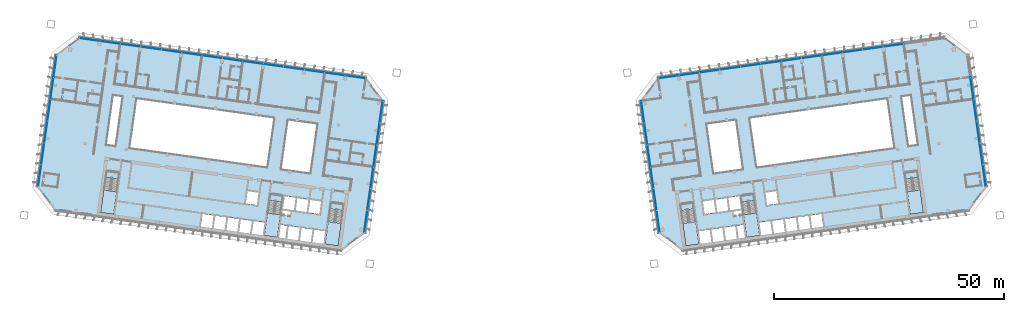
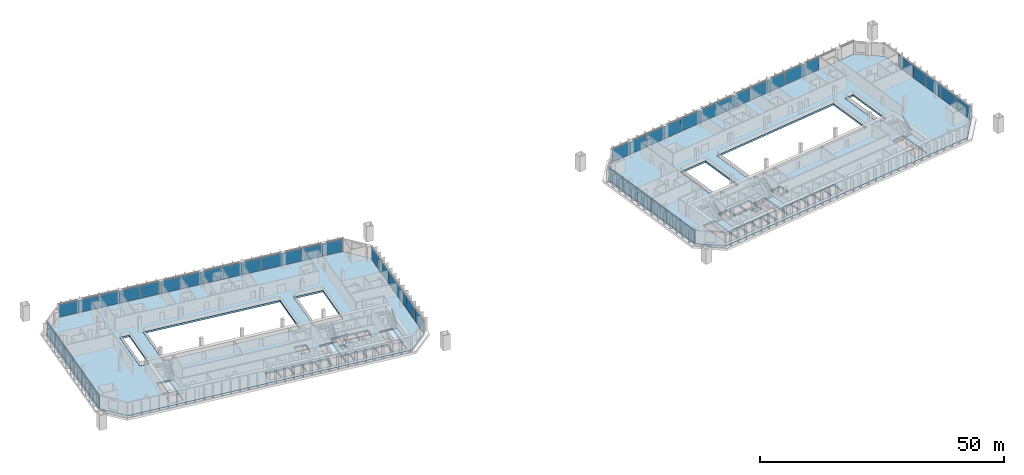
# One storey, part 12 of 25: 49 plates, 8 slabs, 12 elements without a shape of their own.
"""IFC4 building model written with IfcOpenShell, lengths in metres."""

from ifc_helpers import new_model, si_unit, direction, frame, origin, origin_2d, place, context, subcontext, project, spatial, polyline, rectangle, outline, extrude, material, layer, layer_set, type_object, element, aggregate, save


model = new_model("IFC4")

# Units and contexts
model_context = context("Model", 3, precision=1e-05, world=origin(), true_north=direction((0.0, 1.0)))
body_context = subcontext(model_context, "Body", "Model", "MODEL_VIEW")
ifc_project = project(units=[si_unit("LENGTHUNIT", "METRE"), si_unit("AREAUNIT", "SQUARE_METRE"), si_unit("VOLUMEUNIT", "CUBIC_METRE"), si_unit("PLANEANGLEUNIT", "RADIAN"), si_unit("MASSUNIT", "GRAM", prefix="KILO")], contexts=[model_context])

# Site, building, storey
site_placement = place(None, origin())
site = spatial("IfcSite", under=ifc_project, at=site_placement, CompositionType="ELEMENT")
building_placement = place(site_placement, origin())
building = spatial("IfcBuilding", under=site, at=building_placement, Name="Mirante Cascada Hotel Towers", CompositionType="ELEMENT")
storey_placement = place(building_placement, frame((0.0, 0.0, 129.1)))
storey = spatial("IfcBuildingStorey", under=building, at=storey_placement, Name="L29", CompositionType="ELEMENT", Elevation=129.1)

# Curtain wall, plates
ifc_material_1 = material(Name="Aluminium mullion and transom frame with clear laminated glass", Category="aluminium")
curtain_wall_type_1 = type_object("IfcCurtainWallType", Name="Ribbon curtain wall ECW1", PredefinedType="NOTDEFINED", material=ifc_material_1)
curtain_wall_1_placement = place(storey_placement, origin())
curtain_wall_1 = element("IfcCurtainWall", 1, at=curtain_wall_1_placement, inside=storey, type_object=curtain_wall_type_1, Name="Front ribbon wall T1 L29", PredefinedType="NOTDEFINED")
ifc_material_2 = material(Name="Clear laminated glass", Category="glass")
ifc_layer_1 = layer(ifc_material_2, 0.036)
ifc_layer_set_1 = layer_set([ifc_layer_1], Name="ECW1 glass panel 36")
plate_type_1 = type_object("IfcPlateType", Name="ECW1 glass panel 36", PredefinedType="CURTAIN_PANEL", material=ifc_layer_set_1)
plate_1_placement = place(storey_placement, frame((-91.9184, 25.7373, 0.1), z_axis=(0.0, 0.0, 1.0), x_axis=(0.9902681, -0.1391731, 0.0)))
plate_1 = element("IfcPlate", 2, at=plate_1_placement, type_object=plate_type_1, Name="ECW1 panel 1", PredefinedType="CURTAIN_PANEL", context=body_context, shape_type="SweptSolid", body=[
    extrude(rectangle(XDim=4.3936, YDim=0.036, at=origin_2d()), origin(), (0.0, 0.0, 1.0), 3.15),
])
plate_2_placement = place(storey_placement, frame((-87.487, 25.1145, 0.1), z_axis=(0.0, 0.0, 1.0), x_axis=(0.9902681, -0.1391731, 0.0)))
plate_2 = element("IfcPlate", 3, at=plate_2_placement, type_object=plate_type_1, Name="ECW1 panel 2", PredefinedType="CURTAIN_PANEL", context=body_context, shape_type="SweptSolid", body=[
    extrude(rectangle(XDim=4.4261, YDim=0.036, at=origin_2d()), origin(), (0.0, 0.0, 1.0), 3.15),
])
plate_3_placement = place(storey_placement, frame((-83.0396, 24.4895, 0.1), z_axis=(0.0, 0.0, 1.0), x_axis=(0.9902681, -0.1391731, 0.0)))
plate_3 = element("IfcPlate", 4, at=plate_3_placement, type_object=plate_type_1, Name="ECW1 panel 3", PredefinedType="CURTAIN_PANEL", context=body_context, shape_type="SweptSolid", body=[
    extrude(rectangle(XDim=4.4261, YDim=0.036, at=origin_2d()), origin(), (0.0, 0.0, 1.0), 3.15),
])
plate_4_placement = place(storey_placement, frame((-78.5922, 23.8644, 0.1), z_axis=(0.0, 0.0, 1.0), x_axis=(0.9902681, -0.1391731, 0.0)))
plate_4 = element("IfcPlate", 5, at=plate_4_placement, type_object=plate_type_1, Name="ECW1 panel 4", PredefinedType="CURTAIN_PANEL", context=body_context, shape_type="SweptSolid", body=[
    extrude(rectangle(XDim=4.4261, YDim=0.036, at=origin_2d()), origin(), (0.0, 0.0, 1.0), 3.15),
])
plate_5_placement = place(storey_placement, frame((-74.1448, 23.2394, 0.1), z_axis=(0.0, 0.0, 1.0), x_axis=(0.9902681, -0.1391731, 0.0)))
plate_5 = element("IfcPlate", 6, at=plate_5_placement, type_object=plate_type_1, Name="ECW1 panel 5", PredefinedType="CURTAIN_PANEL", context=body_context, shape_type="SweptSolid", body=[
    extrude(rectangle(XDim=4.4261, YDim=0.036, at=origin_2d()), origin(), (0.0, 0.0, 1.0), 3.15),
])
plate_6_placement = place(storey_placement, frame((-69.6974, 22.6144, 0.1), z_axis=(0.0, 0.0, 1.0), x_axis=(0.9902681, -0.1391731, 0.0)))
plate_6 = element("IfcPlate", 7, at=plate_6_placement, type_object=plate_type_1, Name="ECW1 panel 6", PredefinedType="CURTAIN_PANEL", context=body_context, shape_type="SweptSolid", body=[
    extrude(rectangle(XDim=4.4261, YDim=0.036, at=origin_2d()), origin(), (0.0, 0.0, 1.0), 3.15),
])
plate_7_placement = place(storey_placement, frame((-65.2499, 21.9893, 0.1), z_axis=(0.0, 0.0, 1.0), x_axis=(0.9902681, -0.1391731, 0.0)))
plate_7 = element("IfcPlate", 8, at=plate_7_placement, type_object=plate_type_1, Name="ECW1 panel 7", PredefinedType="CURTAIN_PANEL", context=body_context, shape_type="SweptSolid", body=[
    extrude(rectangle(XDim=4.4261, YDim=0.036, at=origin_2d()), origin(), (0.0, 0.0, 1.0), 3.15),
])
plate_8_placement = place(storey_placement, frame((-60.8025, 21.3643, 0.1), z_axis=(0.0, 0.0, 1.0), x_axis=(0.9902681, -0.1391731, 0.0)))
plate_8 = element("IfcPlate", 9, at=plate_8_placement, type_object=plate_type_1, Name="ECW1 panel 8", PredefinedType="CURTAIN_PANEL", context=body_context, shape_type="SweptSolid", body=[
    extrude(rectangle(XDim=4.4261, YDim=0.036, at=origin_2d()), origin(), (0.0, 0.0, 1.0), 3.15),
])
plate_9_placement = place(storey_placement, frame((-56.3551, 20.7392, 0.1), z_axis=(0.0, 0.0, 1.0), x_axis=(0.9902681, -0.1391731, 0.0)))
plate_9 = element("IfcPlate", 10, at=plate_9_placement, type_object=plate_type_1, Name="ECW1 panel 9", PredefinedType="CURTAIN_PANEL", context=body_context, shape_type="SweptSolid", body=[
    extrude(rectangle(XDim=4.4261, YDim=0.036, at=origin_2d()), origin(), (0.0, 0.0, 1.0), 3.15),
])
plate_10_placement = place(storey_placement, frame((-51.9077, 20.1142, 0.1), z_axis=(0.0, 0.0, 1.0), x_axis=(0.9902681, -0.1391731, 0.0)))
plate_10 = element("IfcPlate", 11, at=plate_10_placement, type_object=plate_type_1, Name="ECW1 panel 10", PredefinedType="CURTAIN_PANEL", context=body_context, shape_type="SweptSolid", body=[
    extrude(rectangle(XDim=4.4261, YDim=0.036, at=origin_2d()), origin(), (0.0, 0.0, 1.0), 3.15),
])
plate_11_placement = place(storey_placement, frame((-47.4603, 19.4891, 0.1), z_axis=(0.0, 0.0, 1.0), x_axis=(0.9902681, -0.1391731, 0.0)))
plate_11 = element("IfcPlate", 12, at=plate_11_placement, type_object=plate_type_1, Name="ECW1 panel 11", PredefinedType="CURTAIN_PANEL", context=body_context, shape_type="SweptSolid", body=[
    extrude(rectangle(XDim=4.4261, YDim=0.036, at=origin_2d()), origin(), (0.0, 0.0, 1.0), 3.15),
])
plate_12_placement = place(storey_placement, frame((-43.0129, 18.8641, 0.1), z_axis=(0.0, 0.0, 1.0), x_axis=(0.9902681, -0.1391731, 0.0)))
plate_12 = element("IfcPlate", 13, at=plate_12_placement, type_object=plate_type_1, Name="ECW1 panel 12", PredefinedType="CURTAIN_PANEL", context=body_context, shape_type="SweptSolid", body=[
    extrude(rectangle(XDim=4.4261, YDim=0.036, at=origin_2d()), origin(), (0.0, 0.0, 1.0), 3.15),
])
plate_13_placement = place(storey_placement, frame((-38.5654, 18.239, 0.1), z_axis=(0.0, 0.0, 1.0), x_axis=(0.9902681, -0.1391731, 0.0)))
plate_13 = element("IfcPlate", 14, at=plate_13_placement, type_object=plate_type_1, Name="ECW1 panel 13", PredefinedType="CURTAIN_PANEL", context=body_context, shape_type="SweptSolid", body=[
    extrude(rectangle(XDim=4.4261, YDim=0.036, at=origin_2d()), origin(), (0.0, 0.0, 1.0), 3.15),
])
plate_14_placement = place(storey_placement, frame((-34.1341, 17.6163, 0.1), z_axis=(0.0, 0.0, 1.0), x_axis=(0.9902681, -0.1391731, 0.0)))
plate_14 = element("IfcPlate", 15, at=plate_14_placement, type_object=plate_type_1, Name="ECW1 panel 14", PredefinedType="CURTAIN_PANEL", context=body_context, shape_type="SweptSolid", body=[
    extrude(rectangle(XDim=4.3936, YDim=0.036, at=origin_2d()), origin(), (0.0, 0.0, 1.0), 3.15),
])
aggregate(curtain_wall_1, [plate_1, plate_2, plate_3, plate_4, plate_5, plate_6, plate_7, plate_8, plate_9, plate_10, plate_11, plate_12, plate_13, plate_14])

curtain_wall_2_placement = place(storey_placement, origin())
curtain_wall_2 = element("IfcCurtainWall", 16, at=curtain_wall_2_placement, inside=storey, type_object=curtain_wall_type_1, Name="Front ribbon wall T2 L29", PredefinedType="NOTDEFINED")
plate_15_placement = place(storey_placement, frame((83.0396, 24.4895, 0.1), z_axis=(0.0, 0.0, 1.0), x_axis=(-0.9902681, -0.1391731, 0.0)))
plate_15 = element("IfcPlate", 17, at=plate_15_placement, type_object=plate_type_1, Name="ECW1 panel 3", PredefinedType="CURTAIN_PANEL", context=body_context, shape_type="SweptSolid", body=[
    extrude(rectangle(XDim=4.4261, YDim=0.036, at=origin_2d()), origin(), (0.0, 0.0, 1.0), 3.15),
])
plate_16_placement = place(storey_placement, frame((78.5922, 23.8644, 0.1), z_axis=(0.0, 0.0, 1.0), x_axis=(-0.9902681, -0.1391731, 0.0)))
plate_16 = element("IfcPlate", 18, at=plate_16_placement, type_object=plate_type_1, Name="ECW1 panel 4", PredefinedType="CURTAIN_PANEL", context=body_context, shape_type="SweptSolid", body=[
    extrude(rectangle(XDim=4.4261, YDim=0.036, at=origin_2d()), origin(), (0.0, 0.0, 1.0), 3.15),
])
plate_17_placement = place(storey_placement, frame((74.1448, 23.2394, 0.1), z_axis=(0.0, 0.0, 1.0), x_axis=(-0.9902681, -0.1391731, 0.0)))
plate_17 = element("IfcPlate", 19, at=plate_17_placement, type_object=plate_type_1, Name="ECW1 panel 5", PredefinedType="CURTAIN_PANEL", context=body_context, shape_type="SweptSolid", body=[
    extrude(rectangle(XDim=4.4261, YDim=0.036, at=origin_2d()), origin(), (0.0, 0.0, 1.0), 3.15),
])
plate_18_placement = place(storey_placement, frame((69.6974, 22.6144, 0.1), z_axis=(0.0, 0.0, 1.0), x_axis=(-0.9902681, -0.1391731, 0.0)))
plate_18 = element("IfcPlate", 20, at=plate_18_placement, type_object=plate_type_1, Name="ECW1 panel 6", PredefinedType="CURTAIN_PANEL", context=body_context, shape_type="SweptSolid", body=[
    extrude(rectangle(XDim=4.4261, YDim=0.036, at=origin_2d()), origin(), (0.0, 0.0, 1.0), 3.15),
])
plate_19_placement = place(storey_placement, frame((65.2499, 21.9893, 0.1), z_axis=(0.0, 0.0, 1.0), x_axis=(-0.9902681, -0.1391731, 0.0)))
plate_19 = element("IfcPlate", 21, at=plate_19_placement, type_object=plate_type_1, Name="ECW1 panel 7", PredefinedType="CURTAIN_PANEL", context=body_context, shape_type="SweptSolid", body=[
    extrude(rectangle(XDim=4.4261, YDim=0.036, at=origin_2d()), origin(), (0.0, 0.0, 1.0), 3.15),
])
plate_20_placement = place(storey_placement, frame((60.8025, 21.3643, 0.1), z_axis=(0.0, 0.0, 1.0), x_axis=(-0.9902681, -0.1391731, 0.0)))
plate_20 = element("IfcPlate", 22, at=plate_20_placement, type_object=plate_type_1, Name="ECW1 panel 8", PredefinedType="CURTAIN_PANEL", context=body_context, shape_type="SweptSolid", body=[
    extrude(rectangle(XDim=4.4261, YDim=0.036, at=origin_2d()), origin(), (0.0, 0.0, 1.0), 3.15),
])
plate_21_placement = place(storey_placement, frame((56.3551, 20.7392, 0.1), z_axis=(0.0, 0.0, 1.0), x_axis=(-0.9902681, -0.1391731, 0.0)))
plate_21 = element("IfcPlate", 23, at=plate_21_placement, type_object=plate_type_1, Name="ECW1 panel 9", PredefinedType="CURTAIN_PANEL", context=body_context, shape_type="SweptSolid", body=[
    extrude(rectangle(XDim=4.4261, YDim=0.036, at=origin_2d()), origin(), (0.0, 0.0, 1.0), 3.15),
])
plate_22_placement = place(storey_placement, frame((51.9077, 20.1142, 0.1), z_axis=(0.0, 0.0, 1.0), x_axis=(-0.9902681, -0.1391731, 0.0)))
plate_22 = element("IfcPlate", 24, at=plate_22_placement, type_object=plate_type_1, Name="ECW1 panel 10", PredefinedType="CURTAIN_PANEL", context=body_context, shape_type="SweptSolid", body=[
    extrude(rectangle(XDim=4.4261, YDim=0.036, at=origin_2d()), origin(), (0.0, 0.0, 1.0), 3.15),
])
plate_23_placement = place(storey_placement, frame((47.4603, 19.4891, 0.1), z_axis=(0.0, 0.0, 1.0), x_axis=(-0.9902681, -0.1391731, 0.0)))
plate_23 = element("IfcPlate", 25, at=plate_23_placement, type_object=plate_type_1, Name="ECW1 panel 11", PredefinedType="CURTAIN_PANEL", context=body_context, shape_type="SweptSolid", body=[
    extrude(rectangle(XDim=4.4261, YDim=0.036, at=origin_2d()), origin(), (0.0, 0.0, 1.0), 3.15),
])
plate_24_placement = place(storey_placement, frame((43.0129, 18.8641, 0.1), z_axis=(0.0, 0.0, 1.0), x_axis=(-0.9902681, -0.1391731, 0.0)))
plate_24 = element("IfcPlate", 26, at=plate_24_placement, type_object=plate_type_1, Name="ECW1 panel 12", PredefinedType="CURTAIN_PANEL", context=body_context, shape_type="SweptSolid", body=[
    extrude(rectangle(XDim=4.4261, YDim=0.036, at=origin_2d()), origin(), (0.0, 0.0, 1.0), 3.15),
])
plate_25_placement = place(storey_placement, frame((38.5654, 18.239, 0.1), z_axis=(0.0, 0.0, 1.0), x_axis=(-0.9902681, -0.1391731, 0.0)))
plate_25 = element("IfcPlate", 27, at=plate_25_placement, type_object=plate_type_1, Name="ECW1 panel 13", PredefinedType="CURTAIN_PANEL", context=body_context, shape_type="SweptSolid", body=[
    extrude(rectangle(XDim=4.4261, YDim=0.036, at=origin_2d()), origin(), (0.0, 0.0, 1.0), 3.15),
])
plate_26_placement = place(storey_placement, frame((34.1341, 17.6163, 0.1), z_axis=(0.0, 0.0, 1.0), x_axis=(-0.9902681, -0.1391731, 0.0)))
plate_26 = element("IfcPlate", 28, at=plate_26_placement, type_object=plate_type_1, Name="ECW1 panel 14", PredefinedType="CURTAIN_PANEL", context=body_context, shape_type="SweptSolid", body=[
    extrude(rectangle(XDim=4.3936, YDim=0.036, at=origin_2d()), origin(), (0.0, 0.0, 1.0), 3.15),
])
aggregate(curtain_wall_2, [plate_15, plate_16, plate_17, plate_18, plate_19, plate_20, plate_21, plate_22, plate_23, plate_24, plate_25, plate_26])

ifc_material_3 = material(Name="Aluminium mullion and transom frame with clear laminated glass", Category="aluminium")
curtain_wall_type_2 = type_object("IfcCurtainWallType", Name="End ribbon curtain wall ECW2", PredefinedType="NOTDEFINED", material=ifc_material_3)
curtain_wall_3_placement = place(storey_placement, origin())
curtain_wall_3 = element("IfcCurtainWall", 29, at=curtain_wall_3_placement, inside=storey, type_object=curtain_wall_type_2, Name="Inner end wall T1 L29", PredefinedType="NOTDEFINED")
ifc_material_4 = material(Name="Clear laminated glass", Category="glass")
ifc_layer_2 = layer(ifc_material_4, 0.034)
ifc_layer_set_2 = layer_set([ifc_layer_2], Name="ECW2 glass panel 34")
plate_type_2 = type_object("IfcPlateType", Name="ECW2 glass panel 34", PredefinedType="CURTAIN_PANEL", material=ifc_layer_set_2)
plate_27_placement = place(storey_placement, frame((-28.4763, 9.9193, 0.1), z_axis=(0.0, 0.0, 1.0), x_axis=(-0.1391731, -0.9902681, 0.0)))
plate_27 = element("IfcPlate", 30, at=plate_27_placement, type_object=plate_type_2, Name="ECW2 panel 1", PredefinedType="CURTAIN_PANEL", context=body_context, shape_type="SweptSolid", body=[
    extrude(rectangle(XDim=4.7151, YDim=0.034, at=origin_2d()), origin(), (0.0, 0.0, 1.0), 3.15),
])
plate_28_placement = place(storey_placement, frame((-29.1439, 5.1696, 0.1), z_axis=(0.0, 0.0, 1.0), x_axis=(-0.1391731, -0.9902681, 0.0)))
plate_28 = element("IfcPlate", 31, at=plate_28_placement, type_object=plate_type_2, Name="ECW2 panel 2", PredefinedType="CURTAIN_PANEL", context=body_context, shape_type="SweptSolid", body=[
    extrude(rectangle(XDim=4.7476, YDim=0.034, at=origin_2d()), origin(), (0.0, 0.0, 1.0), 3.15),
])
plate_29_placement = place(storey_placement, frame((-29.8136, 0.4038, 0.1), z_axis=(0.0, 0.0, 1.0), x_axis=(-0.1391731, -0.9902681, 0.0)))
plate_29 = element("IfcPlate", 32, at=plate_29_placement, type_object=plate_type_2, Name="ECW2 panel 3", PredefinedType="CURTAIN_PANEL", context=body_context, shape_type="SweptSolid", body=[
    extrude(rectangle(XDim=4.7476, YDim=0.034, at=origin_2d()), origin(), (0.0, 0.0, 1.0), 3.15),
])
plate_30_placement = place(storey_placement, frame((-30.4834, -4.362, 0.1), z_axis=(0.0, 0.0, 1.0), x_axis=(-0.1391731, -0.9902681, 0.0)))
plate_30 = element("IfcPlate", 33, at=plate_30_placement, type_object=plate_type_2, Name="ECW2 panel 4", PredefinedType="CURTAIN_PANEL", context=body_context, shape_type="SweptSolid", body=[
    extrude(rectangle(XDim=4.7476, YDim=0.034, at=origin_2d()), origin(), (0.0, 0.0, 1.0), 3.15),
])
plate_31_placement = place(storey_placement, frame((-31.1532, -9.1278, 0.1), z_axis=(0.0, 0.0, 1.0), x_axis=(-0.1391731, -0.9902681, 0.0)))
plate_31 = element("IfcPlate", 34, at=plate_31_placement, type_object=plate_type_2, Name="ECW2 panel 5", PredefinedType="CURTAIN_PANEL", context=body_context, shape_type="SweptSolid", body=[
    extrude(rectangle(XDim=4.7476, YDim=0.034, at=origin_2d()), origin(), (0.0, 0.0, 1.0), 3.15),
])
plate_32_placement = place(storey_placement, frame((-31.8207, -13.8775, 0.1), z_axis=(0.0, 0.0, 1.0), x_axis=(-0.1391731, -0.9902681, 0.0)))
plate_32 = element("IfcPlate", 35, at=plate_32_placement, type_object=plate_type_2, Name="ECW2 panel 6", PredefinedType="CURTAIN_PANEL", context=body_context, shape_type="SweptSolid", body=[
    extrude(rectangle(XDim=4.7151, YDim=0.034, at=origin_2d()), origin(), (0.0, 0.0, 1.0), 3.15),
])
aggregate(curtain_wall_3, [plate_27, plate_28, plate_29, plate_30, plate_31, plate_32])

curtain_wall_4_placement = place(storey_placement, origin())
curtain_wall_4 = element("IfcCurtainWall", 36, at=curtain_wall_4_placement, inside=storey, type_object=curtain_wall_type_2, Name="Outer end wall T1 L29", PredefinedType="NOTDEFINED")
plate_33_placement = place(storey_placement, frame((-102.823, -3.8988, 0.1), z_axis=(0.0, 0.0, 1.0), x_axis=(0.1391731, 0.9902681, 0.0)))
plate_33 = element("IfcPlate", 37, at=plate_33_placement, type_object=plate_type_2, Name="ECW2 panel 1", PredefinedType="CURTAIN_PANEL", context=body_context, shape_type="SweptSolid", body=[
    extrude(rectangle(XDim=4.7151, YDim=0.034, at=origin_2d()), origin(), (0.0, 0.0, 1.0), 3.15),
])
plate_34_placement = place(storey_placement, frame((-101.4857, 5.6167, 0.1), z_axis=(0.0, 0.0, 1.0), x_axis=(0.1391731, 0.9902681, 0.0)))
plate_34 = element("IfcPlate", 38, at=plate_34_placement, type_object=plate_type_2, Name="ECW2 panel 3", PredefinedType="CURTAIN_PANEL", context=body_context, shape_type="SweptSolid", body=[
    extrude(rectangle(XDim=4.7476, YDim=0.034, at=origin_2d()), origin(), (0.0, 0.0, 1.0), 3.15),
])
plate_35_placement = place(storey_placement, frame((-100.8159, 10.3825, 0.1), z_axis=(0.0, 0.0, 1.0), x_axis=(0.1391731, 0.9902681, 0.0)))
plate_35 = element("IfcPlate", 39, at=plate_35_placement, type_object=plate_type_2, Name="ECW2 panel 4", PredefinedType="CURTAIN_PANEL", context=body_context, shape_type="SweptSolid", body=[
    extrude(rectangle(XDim=4.7476, YDim=0.034, at=origin_2d()), origin(), (0.0, 0.0, 1.0), 3.15),
])
plate_36_placement = place(storey_placement, frame((-99.4786, 19.898, 0.1), z_axis=(0.0, 0.0, 1.0), x_axis=(0.1391731, 0.9902681, 0.0)))
plate_36 = element("IfcPlate", 40, at=plate_36_placement, type_object=plate_type_2, Name="ECW2 panel 6", PredefinedType="CURTAIN_PANEL", context=body_context, shape_type="SweptSolid", body=[
    extrude(rectangle(XDim=4.7151, YDim=0.034, at=origin_2d()), origin(), (0.0, 0.0, 1.0), 3.15),
])

curtain_wall_5_placement = place(storey_placement, origin())
curtain_wall_5 = element("IfcCurtainWall", 41, at=curtain_wall_5_placement, inside=storey, type_object=curtain_wall_type_2, Name="Inner end wall T2 L29", PredefinedType="NOTDEFINED")
plate_37_placement = place(storey_placement, frame((28.4763, 9.9193, 0.1), z_axis=(0.0, 0.0, 1.0), x_axis=(0.1391731, -0.9902681, 0.0)))
plate_37 = element("IfcPlate", 42, at=plate_37_placement, type_object=plate_type_2, Name="ECW2 panel 1", PredefinedType="CURTAIN_PANEL", context=body_context, shape_type="SweptSolid", body=[
    extrude(rectangle(XDim=4.7151, YDim=0.034, at=origin_2d()), origin(), (0.0, 0.0, 1.0), 3.15),
])
plate_38_placement = place(storey_placement, frame((29.1439, 5.1696, 0.1), z_axis=(0.0, 0.0, 1.0), x_axis=(0.1391731, -0.9902681, 0.0)))
plate_38 = element("IfcPlate", 43, at=plate_38_placement, type_object=plate_type_2, Name="ECW2 panel 2", PredefinedType="CURTAIN_PANEL", context=body_context, shape_type="SweptSolid", body=[
    extrude(rectangle(XDim=4.7476, YDim=0.034, at=origin_2d()), origin(), (0.0, 0.0, 1.0), 3.15),
])
plate_39_placement = place(storey_placement, frame((29.8136, 0.4038, 0.1), z_axis=(0.0, 0.0, 1.0), x_axis=(0.1391731, -0.9902681, 0.0)))
plate_39 = element("IfcPlate", 44, at=plate_39_placement, type_object=plate_type_2, Name="ECW2 panel 3", PredefinedType="CURTAIN_PANEL", context=body_context, shape_type="SweptSolid", body=[
    extrude(rectangle(XDim=4.7476, YDim=0.034, at=origin_2d()), origin(), (0.0, 0.0, 1.0), 3.15),
])
plate_40_placement = place(storey_placement, frame((30.4834, -4.362, 0.1), z_axis=(0.0, 0.0, 1.0), x_axis=(0.1391731, -0.9902681, 0.0)))
plate_40 = element("IfcPlate", 45, at=plate_40_placement, type_object=plate_type_2, Name="ECW2 panel 4", PredefinedType="CURTAIN_PANEL", context=body_context, shape_type="SweptSolid", body=[
    extrude(rectangle(XDim=4.7476, YDim=0.034, at=origin_2d()), origin(), (0.0, 0.0, 1.0), 3.15),
])
plate_41_placement = place(storey_placement, frame((31.1532, -9.1278, 0.1), z_axis=(0.0, 0.0, 1.0), x_axis=(0.1391731, -0.9902681, 0.0)))
plate_41 = element("IfcPlate", 46, at=plate_41_placement, type_object=plate_type_2, Name="ECW2 panel 5", PredefinedType="CURTAIN_PANEL", context=body_context, shape_type="SweptSolid", body=[
    extrude(rectangle(XDim=4.7476, YDim=0.034, at=origin_2d()), origin(), (0.0, 0.0, 1.0), 3.15),
])
plate_42_placement = place(storey_placement, frame((31.8207, -13.8775, 0.1), z_axis=(0.0, 0.0, 1.0), x_axis=(0.1391731, -0.9902681, 0.0)))
plate_42 = element("IfcPlate", 47, at=plate_42_placement, type_object=plate_type_2, Name="ECW2 panel 6", PredefinedType="CURTAIN_PANEL", context=body_context, shape_type="SweptSolid", body=[
    extrude(rectangle(XDim=4.7151, YDim=0.034, at=origin_2d()), origin(), (0.0, 0.0, 1.0), 3.15),
])
aggregate(curtain_wall_5, [plate_37, plate_38, plate_39, plate_40, plate_41, plate_42])

curtain_wall_6_placement = place(storey_placement, origin())
curtain_wall_6 = element("IfcCurtainWall", 48, at=curtain_wall_6_placement, inside=storey, type_object=curtain_wall_type_2, Name="Outer end wall T2 L29", PredefinedType="NOTDEFINED")
plate_43_placement = place(storey_placement, frame((102.823, -3.8988, 0.1), z_axis=(0.0, 0.0, 1.0), x_axis=(-0.1391731, 0.9902681, 0.0)))
plate_43 = element("IfcPlate", 49, at=plate_43_placement, type_object=plate_type_2, Name="ECW2 panel 1", PredefinedType="CURTAIN_PANEL", context=body_context, shape_type="SweptSolid", body=[
    extrude(rectangle(XDim=4.7151, YDim=0.034, at=origin_2d()), origin(), (0.0, 0.0, 1.0), 3.15),
])
plate_44_placement = place(storey_placement, frame((101.4857, 5.6167, 0.1), z_axis=(0.0, 0.0, 1.0), x_axis=(-0.1391731, 0.9902681, 0.0)))
plate_44 = element("IfcPlate", 50, at=plate_44_placement, type_object=plate_type_2, Name="ECW2 panel 3", PredefinedType="CURTAIN_PANEL", context=body_context, shape_type="SweptSolid", body=[
    extrude(rectangle(XDim=4.7476, YDim=0.034, at=origin_2d()), origin(), (0.0, 0.0, 1.0), 3.15),
])
plate_45_placement = place(storey_placement, frame((100.8159, 10.3825, 0.1), z_axis=(0.0, 0.0, 1.0), x_axis=(-0.1391731, 0.9902681, 0.0)))
plate_45 = element("IfcPlate", 51, at=plate_45_placement, type_object=plate_type_2, Name="ECW2 panel 4", PredefinedType="CURTAIN_PANEL", context=body_context, shape_type="SweptSolid", body=[
    extrude(rectangle(XDim=4.7476, YDim=0.034, at=origin_2d()), origin(), (0.0, 0.0, 1.0), 3.15),
])

# Plate
ifc_material_5 = material(Name="Insulated aluminium spandrel panel", Category="aluminium")
ifc_layer_3 = layer(ifc_material_5, 0.034)
ifc_layer_set_3 = layer_set([ifc_layer_3], Name="ECW2 spandrel panel 34")
plate_type_3 = type_object("IfcPlateType", Name="ECW2 spandrel panel 34", PredefinedType="CURTAIN_PANEL", material=ifc_layer_set_3)
plate_46_placement = place(storey_placement, frame((-102.1554, 0.8509, 0.1), z_axis=(0.0, 0.0, 1.0), x_axis=(0.1391731, 0.9902681, 0.0)))
plate_46 = element("IfcPlate", 52, at=plate_46_placement, type_object=plate_type_3, Name="ECW2 panel 2", PredefinedType="CURTAIN_PANEL", context=body_context, shape_type="SweptSolid", body=[
    extrude(rectangle(XDim=4.7476, YDim=0.034, at=origin_2d()), origin(), (0.0, 0.0, 1.0), 3.15),
])

plate_47_placement = place(storey_placement, frame((-100.1461, 15.1483, 0.1), z_axis=(0.0, 0.0, 1.0), x_axis=(0.1391731, 0.9902681, 0.0)))
plate_47 = element("IfcPlate", 53, at=plate_47_placement, type_object=plate_type_3, Name="ECW2 panel 5", PredefinedType="CURTAIN_PANEL", context=body_context, shape_type="SweptSolid", body=[
    extrude(rectangle(XDim=4.7476, YDim=0.034, at=origin_2d()), origin(), (0.0, 0.0, 1.0), 3.15),
])

aggregate(curtain_wall_4, [plate_33, plate_46, plate_34, plate_35, plate_47, plate_36])

plate_48_placement = place(storey_placement, frame((102.1554, 0.8509, 0.1), z_axis=(0.0, 0.0, 1.0), x_axis=(-0.1391731, 0.9902681, 0.0)))
plate_48 = element("IfcPlate", 54, at=plate_48_placement, type_object=plate_type_3, Name="ECW2 panel 2", PredefinedType="CURTAIN_PANEL", context=body_context, shape_type="SweptSolid", body=[
    extrude(rectangle(XDim=4.7476, YDim=0.034, at=origin_2d()), origin(), (0.0, 0.0, 1.0), 3.15),
])

plate_49_placement = place(storey_placement, frame((100.1461, 15.1483, 0.1), z_axis=(0.0, 0.0, 1.0), x_axis=(-0.1391731, 0.9902681, 0.0)))
plate_49 = element("IfcPlate", 55, at=plate_49_placement, type_object=plate_type_3, Name="ECW2 panel 5", PredefinedType="CURTAIN_PANEL", context=body_context, shape_type="SweptSolid", body=[
    extrude(rectangle(XDim=4.7476, YDim=0.034, at=origin_2d()), origin(), (0.0, 0.0, 1.0), 3.15),
])

aggregate(curtain_wall_6, [plate_43, plate_48, plate_44, plate_45, plate_49])

# Stair, slab
ifc_material_6 = material(Name="Concrete C35/45", Category="concrete")
stair_type = type_object("IfcStairType", Name="Exit stair half-turn 1350 concrete C35/45", PredefinedType="HALF_TURN_STAIR", material=ifc_material_6)
stair_1_placement = place(storey_placement, origin())
stair_1 = element("IfcStair", 56, at=stair_1_placement, inside=storey, type_object=stair_type, Name="L29 Exit stair A", PredefinedType="HALF_TURN_STAIR")
ifc_material_7 = material(Name="Concrete C35/45", Category="concrete")
ifc_layer_4 = layer(ifc_material_7, 0.2)
ifc_layer_set_4 = layer_set([ifc_layer_4], Name="Exit stair landing 200 concrete C35/45")
slab_type_1 = type_object("IfcSlabType", Name="Exit stair landing 200 concrete C35/45", PredefinedType="LANDING", material=ifc_layer_set_4)
slab_1_placement = place(storey_placement, frame((0.0, 0.0, 1.7)))
slab_1 = element("IfcSlab", 57, at=slab_1_placement, type_object=slab_type_1, Name="ST1-A landing 1", PredefinedType="LANDING", context=body_context, shape_type="SweptSolid", body=[
    extrude(outline(polyline([(-39.9987, -13.8659), (-40.6887, -18.7757), (-37.8665, -19.1723), (-37.1765, -14.2626), (-39.9987, -13.8659)])), origin(), (0.0, 0.0, 1.0), 0.2),
])
aggregate(stair_1, [slab_1])

stair_2_placement = place(storey_placement, origin())
stair_2 = element("IfcStair", 58, at=stair_2_placement, inside=storey, type_object=stair_type, Name="L29 Exit stair B", PredefinedType="HALF_TURN_STAIR")
slab_2_placement = place(storey_placement, frame((0.0, 0.0, 1.7)))
slab_2 = element("IfcSlab", 59, at=slab_2_placement, type_object=slab_type_1, Name="ST1-B landing 1", PredefinedType="LANDING", context=body_context, shape_type="SweptSolid", body=[
    extrude(outline(polyline([(-53.2188, -12.008), (-53.9088, -16.9177), (-51.0866, -17.3144), (-50.3965, -12.4046), (-53.2188, -12.008)])), origin(), (0.0, 0.0, 1.0), 0.2),
])
aggregate(stair_2, [slab_2])

stair_3_placement = place(storey_placement, origin())
stair_3 = element("IfcStair", 60, at=stair_3_placement, inside=storey, type_object=stair_type, Name="L29 Exit stair C", PredefinedType="HALF_TURN_STAIR")
slab_3_placement = place(storey_placement, frame((0.0, 0.0, 1.7)))
slab_3 = element("IfcSlab", 61, at=slab_3_placement, type_object=slab_type_1, Name="ST1-C landing 1", PredefinedType="LANDING", context=body_context, shape_type="SweptSolid", body=[
    extrude(outline(polyline([(-88.8685, -6.9977), (-89.5585, -11.9075), (-86.7362, -12.3041), (-86.0462, -7.3944), (-88.8685, -6.9977)])), origin(), (0.0, 0.0, 1.0), 0.2),
])
aggregate(stair_3, [slab_3])

stair_4_placement = place(storey_placement, origin())
stair_4 = element("IfcStair", 62, at=stair_4_placement, inside=storey, type_object=stair_type, Name="L29 Exit stair A", PredefinedType="HALF_TURN_STAIR")
slab_4_placement = place(storey_placement, frame((0.0, 0.0, 1.7)))
slab_4 = element("IfcSlab", 63, at=slab_4_placement, type_object=slab_type_1, Name="ST2-A landing 1", PredefinedType="LANDING", context=body_context, shape_type="SweptSolid", body=[
    extrude(outline(polyline([(37.1765, -14.2626), (37.8665, -19.1723), (40.6887, -18.7757), (39.9987, -13.8659), (37.1765, -14.2626)])), origin(), (0.0, 0.0, 1.0), 0.2),
])
aggregate(stair_4, [slab_4])

stair_5_placement = place(storey_placement, origin())
stair_5 = element("IfcStair", 64, at=stair_5_placement, inside=storey, type_object=stair_type, Name="L29 Exit stair B", PredefinedType="HALF_TURN_STAIR")
slab_5_placement = place(storey_placement, frame((0.0, 0.0, 1.7)))
slab_5 = element("IfcSlab", 65, at=slab_5_placement, type_object=slab_type_1, Name="ST2-B landing 1", PredefinedType="LANDING", context=body_context, shape_type="SweptSolid", body=[
    extrude(outline(polyline([(50.3965, -12.4046), (51.0866, -17.3144), (53.9088, -16.9177), (53.2188, -12.008), (50.3965, -12.4046)])), origin(), (0.0, 0.0, 1.0), 0.2),
])
aggregate(stair_5, [slab_5])

stair_6_placement = place(storey_placement, origin())
stair_6 = element("IfcStair", 66, at=stair_6_placement, inside=storey, type_object=stair_type, Name="L29 Exit stair C", PredefinedType="HALF_TURN_STAIR")
slab_6_placement = place(storey_placement, frame((0.0, 0.0, 1.7)))
slab_6 = element("IfcSlab", 67, at=slab_6_placement, type_object=slab_type_1, Name="ST2-C landing 1", PredefinedType="LANDING", context=body_context, shape_type="SweptSolid", body=[
    extrude(outline(polyline([(86.0462, -7.3944), (86.7362, -12.3041), (89.5585, -11.9075), (88.8685, -6.9977), (86.0462, -7.3944)])), origin(), (0.0, 0.0, 1.0), 0.2),
])
aggregate(stair_6, [slab_6])

# Slabs
ifc_material_8 = material(Name="Concrete C40/50", Category="concrete")
ifc_layer_5 = layer(ifc_material_8, 0.45)
ifc_layer_set_5 = layer_set([ifc_layer_5], Name="Post-tensioned flat plate 450 Concrete C40/50")
slab_type_2 = type_object("IfcSlabType", Name="Post-tensioned flat plate 450 Concrete C40/50", PredefinedType="FLOOR", material=ifc_layer_set_5)
slab_7_placement = place(storey_placement, frame((0.0, 0.0, -0.45)))
element("IfcSlab", 68, at=slab_7_placement, inside=storey, type_object=slab_type_2, Name="Floor T1 L29", PredefinedType="FLOOR", context=body_context, shape_type="SweptSolid", body=[
    extrude(outline(polyline([(-32.018, -16.3589), (-27.982, 12.3589), (-31.8119, 17.4414), (-94.1988, 26.2093), (-99.2813, 22.3794), (-103.3173, -6.3384), (-99.4874, -11.4209), (-37.1005, -20.1888), (-32.018, -16.3589)]), holes=[polyline([(-43.0718, -15.6132), (-40.5961, -15.9612), (-40.9858, -18.7339), (-43.4615, -18.386), (-43.0718, -15.6132)]), polyline([(-45.8446, -15.2236), (-43.3689, -15.5715), (-43.7586, -18.3442), (-46.2342, -17.9963), (-45.8446, -15.2236)]), polyline([(-48.6173, -14.8339), (-46.1416, -15.1818), (-46.5313, -17.9546), (-49.007, -17.6066), (-48.6173, -14.8339)]), polyline([(-50.3998, -14.5834), (-48.9144, -14.7921), (-49.3041, -17.5649), (-50.7895, -17.3561), (-50.3998, -14.5834)]), polyline([(-36.7887, -11.5037), (-37.8665, -19.1723), (-40.6887, -18.7757), (-39.611, -11.107), (-36.7887, -11.5037)]), polyline([(-49.9544, -11.4145), (-48.1472, -11.6685), (-48.2829, -12.634), (-50.0901, -12.38), (-49.9544, -11.4145)]), polyline([(-43.9775, -9.124), (-41.5018, -9.472), (-41.8915, -12.2447), (-44.3672, -11.8968), (-43.9775, -9.124)]), polyline([(-47.1399, -11.5071), (-46.7503, -8.7344), (-44.2746, -9.0823), (-44.6643, -11.855), (-47.1399, -11.5071)]), polyline([(-49.9127, -11.1174), (-49.523, -8.3447), (-47.0473, -8.6926), (-47.437, -11.4654), (-49.9127, -11.1174)]), polyline([(-56.2919, -13.7553), (-53.8162, -14.1032), (-54.2059, -16.876), (-56.6816, -16.528), (-56.2919, -13.7553)]), polyline([(-59.0646, -13.3656), (-56.589, -13.7135), (-56.9787, -16.4863), (-59.4543, -16.1383), (-59.0646, -13.3656)]), polyline([(-61.8374, -12.9759), (-59.3617, -13.3238), (-59.7514, -16.0966), (-62.2271, -15.7487), (-61.8374, -12.9759)]), polyline([(-64.6101, -12.5862), (-62.1345, -12.9342), (-62.5242, -15.7069), (-64.9998, -15.359), (-64.6101, -12.5862)]), polyline([(-67.3829, -12.1965), (-64.9072, -12.5445), (-65.2969, -15.3172), (-67.7726, -14.9693), (-67.3829, -12.1965)]), polyline([(-50.0088, -9.6457), (-51.0866, -17.3144), (-53.9088, -16.9177), (-52.8311, -9.2491), (-50.0088, -9.6457)]), polyline([(-85.6585, -4.6355), (-86.7362, -12.3041), (-89.5585, -11.9075), (-88.4807, -4.2388), (-85.6585, -4.6355)]), polyline([(-57.9834, -9.9832), (-57.5937, -7.2104), (-55.118, -7.5583), (-55.5077, -10.3311), (-57.9834, -9.9832)]), polyline([(-86.873, 13.6677), (-84.7325, 13.3668), (-84.7325, 13.3668), (-86.2634, 2.4739), (-86.2634, 2.4739), (-88.4039, 2.7747), (-86.873, 13.6677)]), polyline([(-51.7318, 8.7289), (-53.2627, -2.1641), (-53.2627, -2.1641), (-83.2906, 2.0561), (-83.2906, 2.0561), (-81.7597, 12.949), (-81.7597, 12.949), (-51.7318, 8.7289)]), polyline([(-42.3109, 7.4049), (-43.8418, -3.4881), (-50.2899, -2.5818), (-50.2899, -2.5818), (-48.759, 8.3111), (-42.3109, 7.4049)])]), origin(), (0.0, 0.0, 1.0), 0.45),
])
slab_8_placement = place(storey_placement, frame((0.0, 0.0, -0.45)))
element("IfcSlab", 69, at=slab_8_placement, inside=storey, type_object=slab_type_2, Name="Floor T2 L29", PredefinedType="FLOOR", context=body_context, shape_type="SweptSolid", body=[
    extrude(outline(polyline([(32.018, -16.3589), (27.982, 12.3589), (31.8119, 17.4414), (94.1988, 26.2093), (99.2813, 22.3794), (103.3173, -6.3384), (99.4874, -11.4209), (37.1005, -20.1888), (32.018, -16.3589)]), holes=[polyline([(43.0718, -15.6132), (40.5961, -15.9612), (40.9858, -18.7339), (43.4615, -18.386), (43.0718, -15.6132)]), polyline([(45.8446, -15.2236), (43.3689, -15.5715), (43.7586, -18.3442), (46.2342, -17.9963), (45.8446, -15.2236)]), polyline([(48.6173, -14.8339), (46.1416, -15.1818), (46.5313, -17.9546), (49.007, -17.6066), (48.6173, -14.8339)]), polyline([(50.3998, -14.5834), (48.9144, -14.7921), (49.3041, -17.5649), (50.7895, -17.3561), (50.3998, -14.5834)]), polyline([(37.8665, -19.1723), (40.6887, -18.7757), (39.611, -11.107), (36.7887, -11.5037), (37.8665, -19.1723)]), polyline([(49.9544, -11.4145), (48.1472, -11.6685), (48.2829, -12.634), (50.0901, -12.38), (49.9544, -11.4145)]), polyline([(43.9775, -9.124), (41.5018, -9.472), (41.8915, -12.2447), (44.3672, -11.8968), (43.9775, -9.124)]), polyline([(47.1399, -11.5071), (46.7503, -8.7344), (44.2746, -9.0823), (44.6643, -11.855), (47.1399, -11.5071)]), polyline([(49.9127, -11.1174), (49.523, -8.3447), (47.0473, -8.6926), (47.437, -11.4654), (49.9127, -11.1174)]), polyline([(56.2919, -13.7553), (53.8162, -14.1032), (54.2059, -16.876), (56.6816, -16.528), (56.2919, -13.7553)]), polyline([(59.0646, -13.3656), (56.589, -13.7135), (56.9787, -16.4863), (59.4543, -16.1383), (59.0646, -13.3656)]), polyline([(61.8374, -12.9759), (59.3617, -13.3238), (59.7514, -16.0966), (62.2271, -15.7487), (61.8374, -12.9759)]), polyline([(64.6101, -12.5862), (62.1345, -12.9342), (62.5242, -15.7069), (64.9998, -15.359), (64.6101, -12.5862)]), polyline([(67.3829, -12.1965), (64.9072, -12.5445), (65.2969, -15.3172), (67.7726, -14.9693), (67.3829, -12.1965)]), polyline([(51.0866, -17.3144), (53.9088, -16.9177), (52.8311, -9.2491), (50.0088, -9.6457), (51.0866, -17.3144)]), polyline([(86.7362, -12.3041), (89.5585, -11.9075), (88.4807, -4.2388), (85.6585, -4.6355), (86.7362, -12.3041)]), polyline([(57.9834, -9.9832), (57.5937, -7.2104), (55.118, -7.5583), (55.5077, -10.3311), (57.9834, -9.9832)]), polyline([(86.873, 13.6677), (88.4039, 2.7747), (86.2634, 2.4739), (86.2634, 2.4739), (84.7325, 13.3668), (84.7325, 13.3668), (86.873, 13.6677)]), polyline([(81.7597, 12.949), (81.7597, 12.949), (83.2906, 2.0561), (83.2906, 2.0561), (53.2627, -2.1641), (53.2627, -2.1641), (51.7318, 8.7289), (81.7597, 12.949)]), polyline([(43.8418, -3.4881), (42.3109, 7.4049), (48.759, 8.3111), (50.2899, -2.5818), (50.2899, -2.5818), (43.8418, -3.4881)])]), origin(), (0.0, 0.0, 1.0), 0.45),
])

save(model, "model.ifc")
